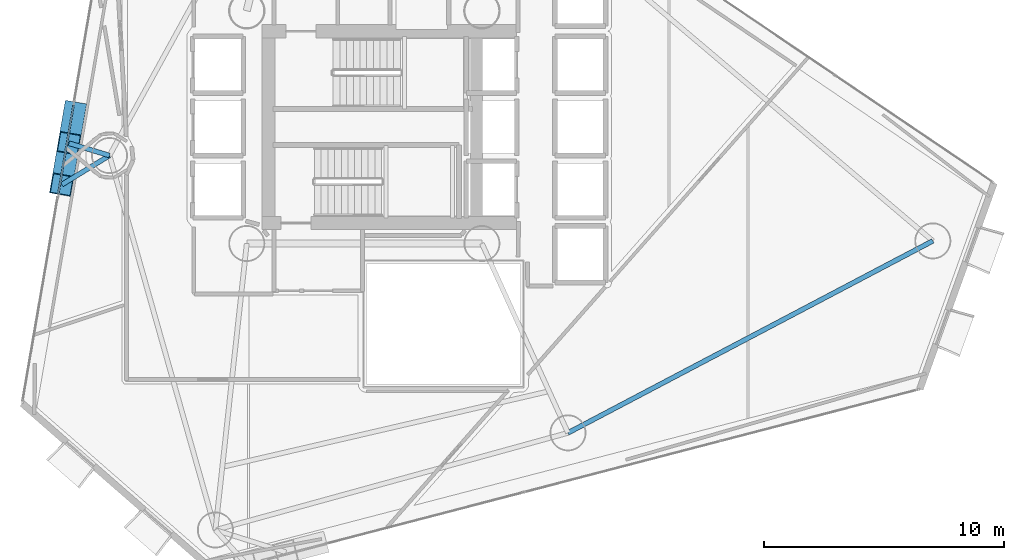
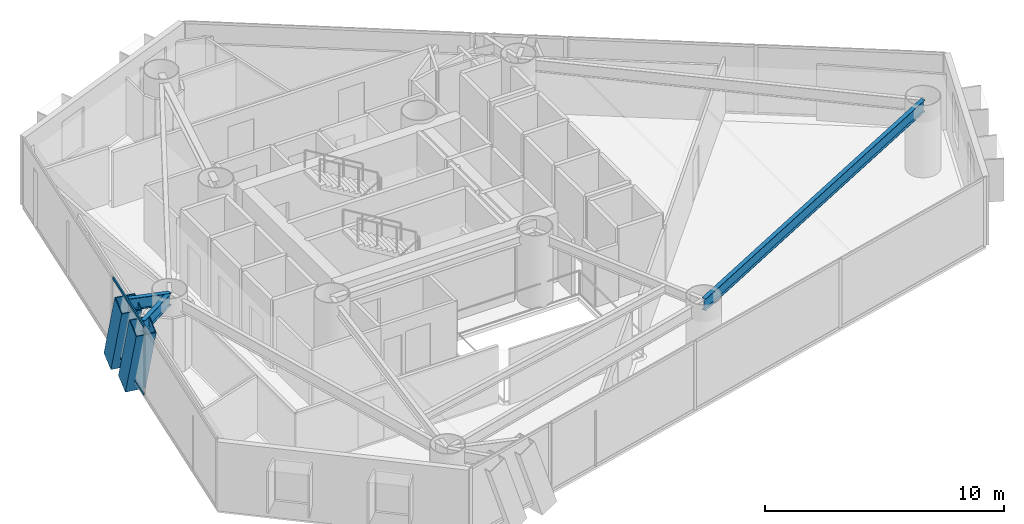
# One storey, part 7 of 21: 4 members, 3 beams, 1 element without a shape of its own.
"""IFC4 building model written with IfcOpenShell, lengths in metres."""

from ifc_helpers import new_model, si_unit, direction, frame, origin, origin_2d, place, context, subcontext, project, spatial, hollow_rectangle, i_section, extrude, material, layer, layer_set, material_profile, profile_set, type_object, element, aggregate, save


model = new_model("IFC4")

# Units and contexts
model_context = context("Model", 3, precision=1e-05, world=origin(), true_north=direction((0.0, 1.0)))
body_context = subcontext(model_context, "Body", "Model", "MODEL_VIEW")
ifc_project = project(units=[si_unit("LENGTHUNIT", "METRE"), si_unit("AREAUNIT", "SQUARE_METRE"), si_unit("VOLUMEUNIT", "CUBIC_METRE"), si_unit("PLANEANGLEUNIT", "RADIAN"), si_unit("MASSUNIT", "GRAM", prefix="KILO")], contexts=[model_context])

# Site, building, storey
site_placement = place(None, origin())
site = spatial("IfcSite", under=ifc_project, at=site_placement, CompositionType="ELEMENT")
building_placement = place(site_placement, origin())
building = spatial("IfcBuilding", under=site, at=building_placement, Name="Qianvela Tower", CompositionType="ELEMENT")
storey_placement = place(building_placement, frame((0.0, 0.0, 108.89990234375)))
storey = spatial("IfcBuildingStorey", under=building, at=storey_placement, Name="L27", CompositionType="ELEMENT", Elevation=108.89990234375)

# Beams
ifc_material_1 = material(Name="Steel Q355B", Category="steel")
ifc_material_profile_1 = material_profile(ifc_material_1, i_section(OverallWidth=0.199951171875, OverallDepth=0.60009765625, WebThickness=0.010986328125, FlangeThickness=0.01708984375, at=origin_2d()), Name="HN600x200x11x17")
ifc_profile_set_1 = profile_set([ifc_material_profile_1], Name="Steel Q355B")
beam_type = type_object("IfcBeamType", Name="BM-HN600-GIRD", PredefinedType="BEAM", material=ifc_profile_set_1)
beam_1_placement = place(storey_placement, frame((22.8779296875, 27.51611328125, 3.218017578125), z_axis=(-0.956762529824, 0.29087017985, 0.0), x_axis=(-0.29087017985, -0.956762529824, 0.0)))
element("IfcBeam", 1, at=beam_1_placement, inside=storey, type_object=beam_type, Name="L27 Mega-Brace Column Tie Bracket F2-1", PredefinedType="BEAM", context=body_context, shape_type="SweptSolid", body=[
    extrude(i_section(OverallWidth=0.199951171875, OverallDepth=0.60009765625, WebThickness=0.010986328125, FlangeThickness=0.01708984375, at=origin_2d()), origin(), (0.0, 0.0, 1.0), 1.766845703125),
])
beam_2_placement = place(storey_placement, frame((22.8779296875, 27.51611328125, 3.218017578125), z_axis=(-0.853517581669, -0.521064043839, 0.0), x_axis=(0.521064043839, -0.853517581669, 0.0)))
element("IfcBeam", 2, at=beam_2_placement, inside=storey, type_object=beam_type, Name="L27 Mega-Brace Column Tie Bracket F2-2", PredefinedType="BEAM", context=body_context, shape_type="SweptSolid", body=[
    extrude(i_section(OverallWidth=0.199951171875, OverallDepth=0.60009765625, WebThickness=0.010986328125, FlangeThickness=0.01708984375, at=origin_2d()), origin(), (0.0, 0.0, 1.0), 2.32861328125),
])
beam_3_placement = place(storey_placement, frame((41.988037109375, 15.95703125, 3.218017578125), z_axis=(0.884971229381, 0.465645705627, 0.0), x_axis=(-0.465645705627, 0.884971229381, 0.0)))
element("IfcBeam", 3, at=beam_3_placement, inside=storey, type_object=beam_type, Name="L27 Perimeter Ring Spandrel Girder 6", PredefinedType="BEAM", context=body_context, shape_type="SweptSolid", body=[
    extrude(i_section(OverallWidth=0.199951171875, OverallDepth=0.60009765625, WebThickness=0.010986328125, FlangeThickness=0.01708984375, at=origin_2d()), origin(), (0.0, 0.0, 1.0), 17.1826171875),
])

# Curtain wall, members
ifc_material_2 = material(Name="Anodised Architectural Aluminium and Insulated Spandrel Panel", Category="aluminium")
ifc_layer = layer(ifc_material_2, 0.179931640625)
ifc_layer_set = layer_set([ifc_layer], Name="Anodised Architectural Aluminium and Insulated Spandrel Panel")
curtain_wall_type = type_object("IfcCurtainWallType", Name="CW-BRACEBAY", PredefinedType="USERDEFINED", material=ifc_layer_set)
curtain_wall_placement = place(storey_placement, origin())
curtain_wall = element("IfcCurtainWall", 4, at=curtain_wall_placement, inside=storey, type_object=curtain_wall_type, Name="L27 CW-BRACEBAY Curtain Wall 04B", ObjectType="CURTAIN_WALL_SYSTEM", PredefinedType="USERDEFINED")
ifc_material_3 = material(Name="Anodised Architectural Aluminium 6063-T6", Category="aluminium")
ifc_material_profile_2 = material_profile(ifc_material_3, hollow_rectangle(XDim=0.06494140625, YDim=0.1298828125, WallThickness=0.00439453125, at=origin_2d()), Name="ALU-TRAN-65x130")
ifc_profile_set_2 = profile_set([ifc_material_profile_2], Name="Anodised Architectural Aluminium 6063-T6")
member_type_1 = type_object("IfcMemberType", Name="CW-BRACEBAY-TRAN", PredefinedType="USERDEFINED", material=ifc_profile_set_2)
member_1_placement = place(storey_placement, frame((21.381591796875, 29.629150390625, 0.03271484375), z_axis=(-0.169539224762, -0.985523440242, 0.0), x_axis=(0.985523440242, -0.169539224762, 0.0)))
member_1 = element("IfcMember", 5, at=member_1_placement, type_object=member_type_1, Name="CW-9 transom 1.1", ObjectType="TRANSOM", PredefinedType="USERDEFINED", context=body_context, shape_type="SweptSolid", body=[
    extrude(hollow_rectangle(XDim=0.06494140625, YDim=0.1298828125, WallThickness=0.00439453125, at=origin_2d()), origin(), (0.0, 0.0, 1.0), 3.780029296875),
])
member_2_placement = place(storey_placement, frame((21.381591796875, 29.629150390625, 3.487548828125), z_axis=(-0.169539224762, -0.985523440242, 0.0), x_axis=(0.985523440242, -0.169539224762, 0.0)))
member_2 = element("IfcMember", 6, at=member_2_placement, type_object=member_type_1, Name="CW-9 transom 1.2", ObjectType="TRANSOM", PredefinedType="USERDEFINED", context=body_context, shape_type="SweptSolid", body=[
    extrude(hollow_rectangle(XDim=0.06494140625, YDim=0.1298828125, WallThickness=0.00439453125, at=origin_2d()), origin(), (0.0, 0.0, 1.0), 3.780029296875),
])
aggregate(curtain_wall, [member_1, member_2])

# Members
ifc_material_4 = material(Name="Steel Q420GJC", Category="steel")
ifc_material_profile_3 = material_profile(ifc_material_4, hollow_rectangle(XDim=0.89990234375, YDim=0.89990234375, WallThickness=0.035888671875, at=origin_2d()), Name="MBOX-900x900x36")
ifc_profile_set_3 = profile_set([ifc_material_profile_3], Name="Steel Q420GJC")
member_type_2 = type_object("IfcMemberType", Name="MBR-MBRACE-900", PredefinedType="BRACE", material=ifc_profile_set_3)
member_3_placement = place(storey_placement, frame((21.41015625, 29.323486328125, -0.48193359375), z_axis=(-0.05671552156, -0.329472404851, 0.942460229429), x_axis=(0.985505188475, -0.169645287257, 0.0)))
element("IfcMember", 7, at=member_3_placement, inside=storey, type_object=member_type_2, Name="L27 Tier 4 Exterior Mega-Brace F2A", PredefinedType="BRACE", context=body_context, shape_type="SweptSolid", body=[
    extrude(hollow_rectangle(XDim=0.89990234375, YDim=0.89990234375, WallThickness=0.035888671875, at=origin_2d()), origin(), (0.0, 0.0, 1.0), 3.92578125),
])
member_4_placement = place(storey_placement, frame((21.113037109375, 27.596435546875, -0.48193359375), z_axis=(-0.056714359427, -0.329527840575, 0.942440917894), x_axis=(0.985510540414, -0.169614193783, 0.0)))
element("IfcMember", 8, at=member_4_placement, inside=storey, type_object=member_type_2, Name="L27 Tier 4 Exterior Mega-Brace F2B", PredefinedType="BRACE", context=body_context, shape_type="SweptSolid", body=[
    extrude(hollow_rectangle(XDim=0.89990234375, YDim=0.89990234375, WallThickness=0.035888671875, at=origin_2d()), origin(), (0.0, 0.0, 1.0), 3.926025390625),
])

save(model, "model.ifc")
